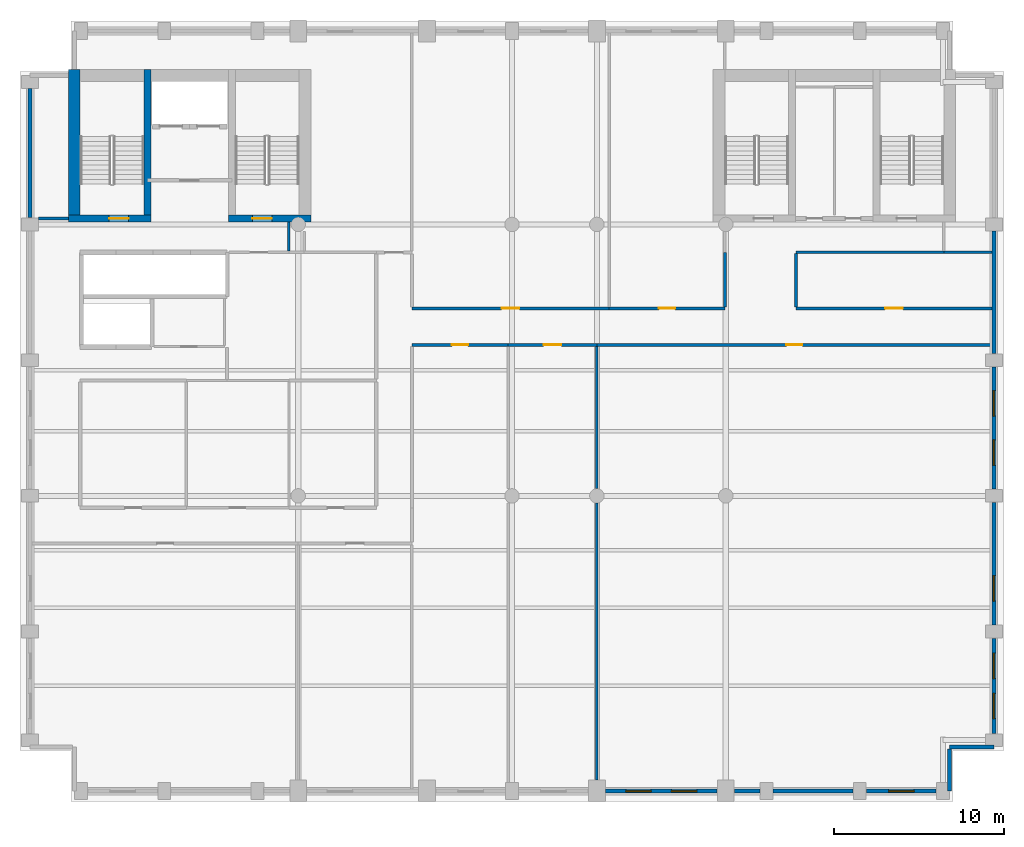
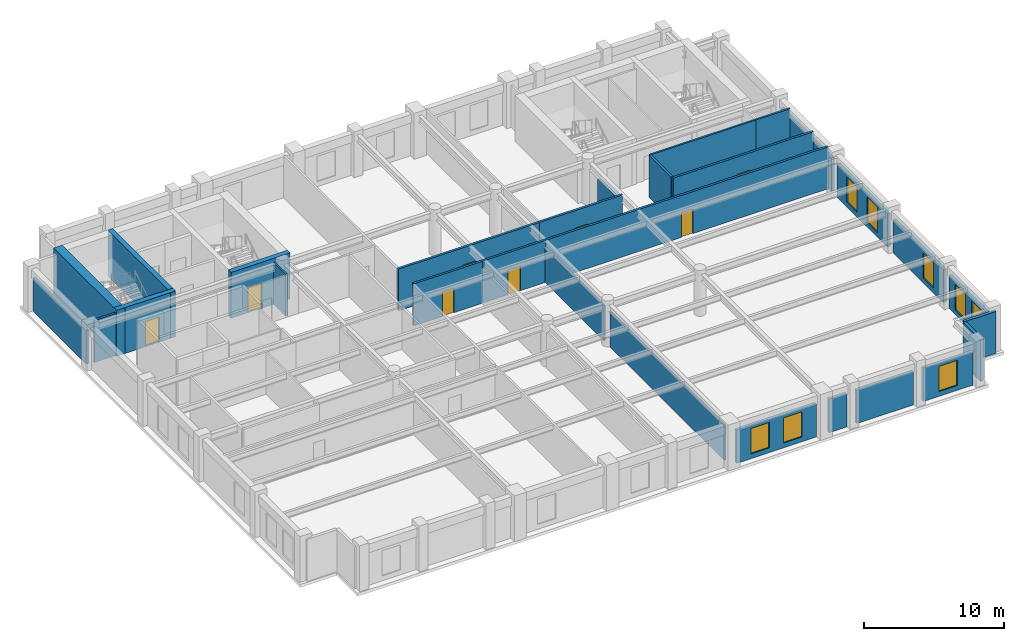
# One storey, part 4 of 8: 29 walls, 8 doors, 8 windows, 16 openings.
"""IFC4 building model written with IfcOpenShell, lengths in metres."""

from ifc_helpers import new_model, si_unit, direction, frame, frame_2d, origin, place, context, subcontext, project, spatial, rectangle, extrude, material, layer, layer_set, type_object, element, fill, save


model = new_model("IFC4")

# Units and contexts
model_context = context("Model", 3, precision=1e-05, world=origin(), true_north=direction((0.0, 1.0)))
body_context = subcontext(model_context, "Body", "Model", "MODEL_VIEW")
ifc_project = project(units=[si_unit("LENGTHUNIT", "METRE"), si_unit("AREAUNIT", "SQUARE_METRE"), si_unit("VOLUMEUNIT", "CUBIC_METRE"), si_unit("PLANEANGLEUNIT", "RADIAN"), si_unit("MASSUNIT", "GRAM", prefix="KILO")], contexts=[model_context])

# Site, building, storey
site_placement = place(None, origin())
site = spatial("IfcSite", under=ifc_project, at=site_placement, CompositionType="ELEMENT")
building_placement = place(site_placement, origin())
building = spatial("IfcBuilding", under=site, at=building_placement, Name="Sulina Concourse Tower", CompositionType="ELEMENT")
storey_placement = place(building_placement, frame((0.0, 0.0, 234.60009765625)))
storey = spatial("IfcBuildingStorey", under=building, at=storey_placement, Name="L57", CompositionType="ELEMENT", Elevation=234.60009765625)

# Wall, openings, windows
ifc_material_1 = material(Name="Precast concrete C50/60", Category="concrete")
ifc_layer_1 = layer(ifc_material_1, 0.239990234375)
ifc_layer_set_1 = layer_set([ifc_layer_1], Name="Precast concrete C50/60")
wall_type_1 = type_object("IfcWallType", Name="Crown Precast Masonry-Frame Facade Wall 240mm", PredefinedType="SOLIDWALL", material=ifc_layer_set_1)
wall_1_placement = place(storey_placement, frame((41.080078125, 0.60009765625, 0.0), z_axis=(0.0, 0.0, 1.0), x_axis=(-1.0, 0.0, 0.0)))
wall_1 = element("IfcWall", 1, at=wall_1_placement, inside=storey, type_object=wall_type_1, Name="L57 exterior precast wall S7", PredefinedType="SOLIDWALL", context=body_context, shape_type="SweptSolid", body=[
    extrude(rectangle(XDim=6.56005859375, YDim=0.239990234375, at=frame_2d((3.280029296875, 0.0))), origin(), (0.0, 0.0, 1.0), 2.909912109375),
])
opening_1_placement = place(wall_1_placement, frame((1.186767578125, 0.0, 0.419921875)))
opening_1 = element("IfcOpeningElement", 2, at=opening_1_placement, cuts=wall_1, Name="Opening WN-71", PredefinedType="OPENING", context=body_context, shape_type="SweptSolid", body=[
    extrude(rectangle(XDim=1.5, YDim=2.199951171875, at=frame_2d((0.75, 1.10009765625))), frame((0.0, 0.1298828125, 0.0), z_axis=(0.0, -1.0, 0.0), x_axis=(1.0, 0.0, 0.0)), (0.0, 0.0, 1.0), 0.260009765625),
])
opening_2_placement = place(wall_1_placement, frame((3.873291015625, 0.0, 0.419921875)))
opening_2 = element("IfcOpeningElement", 3, at=opening_2_placement, cuts=wall_1, Name="Opening WN-71", PredefinedType="OPENING", context=body_context, shape_type="SweptSolid", body=[
    extrude(rectangle(XDim=1.5, YDim=2.199951171875, at=frame_2d((0.75, 1.10009765625))), frame((0.0, 0.1298828125, 0.0), z_axis=(0.0, -1.0, 0.0), x_axis=(1.0, 0.0, 0.0)), (0.0, 0.0, 1.0), 0.260009765625),
])
ifc_material_2 = material(Name="Low-E solar double glazing in bronze aluminium", Category="aluminium")
window_type = type_object("IfcWindowType", Name="Punched Masonry-Frame Window 1500x2200", PartitioningType="SINGLE_PANEL", PredefinedType="WINDOW", material=ifc_material_2)
window_1_placement = place(opening_1_placement, origin())
window_1 = element("IfcWindow", 4, at=window_1_placement, inside=storey, type_object=window_type, Name="L57 punched window S7-1", OverallHeight=2.199951171875, OverallWidth=1.5, PartitioningType="SINGLE_PANEL", PredefinedType="WINDOW", context=body_context, shape_type="SweptSolid", body=[
    extrude(rectangle(XDim=1.5, YDim=2.199951171875, at=frame_2d((0.75, 1.10009765625))), frame((0.0, 0.030029296875, 0.0), z_axis=(0.0, -1.0, 0.0), x_axis=(1.0, 0.0, 0.0)), (0.0, 0.0, 1.0), 0.06005859375),
])
fill(opening_1, window_1)
window_2_placement = place(opening_2_placement, origin())
window_2 = element("IfcWindow", 5, at=window_2_placement, inside=storey, type_object=window_type, Name="L57 punched window S7-2", OverallHeight=2.199951171875, OverallWidth=1.5, PartitioningType="SINGLE_PANEL", PredefinedType="WINDOW", context=body_context, shape_type="SweptSolid", body=[
    extrude(rectangle(XDim=1.5, YDim=2.199951171875, at=frame_2d((0.75, 1.10009765625))), frame((0.0, 0.030029296875, 0.0), z_axis=(0.0, -1.0, 0.0), x_axis=(1.0, 0.0, 0.0)), (0.0, 0.0, 1.0), 0.06005859375),
])
fill(opening_2, window_2)

# Walls
wall_2_placement = place(storey_placement, frame((43.60498046875, 0.60009765625, 0.0), z_axis=(0.0, 0.0, 1.0), x_axis=(-1.0, 0.0, 0.0)))
element("IfcWall", 6, at=wall_2_placement, inside=storey, type_object=wall_type_1, Name="L57 exterior precast wall S8", PredefinedType="SOLIDWALL", context=body_context, shape_type="SweptSolid", body=[
    extrude(rectangle(XDim=1.48486328125, YDim=0.239990234375, at=frame_2d((0.742431640625, 0.0))), origin(), (0.0, 0.0, 1.0), 2.909912109375),
])
wall_3_placement = place(storey_placement, frame((49.10498046875, 0.60009765625, 0.0), z_axis=(0.0, 0.0, 1.0), x_axis=(-1.0, 0.0, 0.0)))
element("IfcWall", 7, at=wall_3_placement, inside=storey, type_object=wall_type_1, Name="L57 exterior precast wall S9", PredefinedType="SOLIDWALL", context=body_context, shape_type="SweptSolid", body=[
    extrude(rectangle(XDim=4.7099609375, YDim=0.239990234375, at=frame_2d((2.35498046875, 0.0))), origin(), (0.0, 0.0, 1.0), 2.909912109375),
])

# Wall, opening, window
wall_4_placement = place(storey_placement, frame((54.0048828125, 0.60009765625, 0.0), z_axis=(0.0, 0.0, 1.0), x_axis=(-1.0, 0.0, 0.0)))
wall_4 = element("IfcWall", 8, at=wall_4_placement, inside=storey, type_object=wall_type_1, Name="L57 exterior precast wall S10", PredefinedType="SOLIDWALL", context=body_context, shape_type="SweptSolid", body=[
    extrude(rectangle(XDim=4.10986328125, YDim=0.239990234375, at=frame_2d((2.054931640625, 0.0))), origin(), (0.0, 0.0, 1.0), 2.909912109375),
])
opening_3_placement = place(wall_4_placement, frame((1.304931640625, 0.0, 0.419921875)))
opening_3 = element("IfcOpeningElement", 9, at=opening_3_placement, cuts=wall_4, Name="Opening WN-71", PredefinedType="OPENING", context=body_context, shape_type="SweptSolid", body=[
    extrude(rectangle(XDim=1.5, YDim=2.199951171875, at=frame_2d((0.75, 1.10009765625))), frame((0.0, 0.1298828125, 0.0), z_axis=(0.0, -1.0, 0.0), x_axis=(1.0, 0.0, 0.0)), (0.0, 0.0, 1.0), 0.260009765625),
])
window_3_placement = place(opening_3_placement, origin())
window_3 = element("IfcWindow", 10, at=window_3_placement, inside=storey, type_object=window_type, Name="L57 punched window S10-1", OverallHeight=2.199951171875, OverallWidth=1.5, PartitioningType="SINGLE_PANEL", PredefinedType="WINDOW", context=body_context, shape_type="SweptSolid", body=[
    extrude(rectangle(XDim=1.5, YDim=2.199951171875, at=frame_2d((0.75, 1.10009765625))), frame((0.0, 0.030029296875, 0.0), z_axis=(0.0, -1.0, 0.0), x_axis=(1.0, 0.0, 0.0)), (0.0, 0.0, 1.0), 0.06005859375),
])
fill(opening_3, window_3)

# Wall
wall_5_placement = place(storey_placement, frame((0.60009765625, 34.39501953125, 0.0), z_axis=(0.0, 0.0, 1.0), x_axis=(0.0, 1.0, 0.0)))
element("IfcWall", 11, at=wall_5_placement, inside=storey, type_object=wall_type_1, Name="L57 exterior precast wall W5", PredefinedType="SOLIDWALL", context=body_context, shape_type="SweptSolid", body=[
    extrude(rectangle(XDim=7.60986328125, YDim=0.239990234375, at=frame_2d((3.804931640625, 0.0))), origin(), (0.0, 0.0, 1.0), 2.909912109375),
])

# Wall, openings, windows
wall_6_placement = place(storey_placement, frame((57.39990234375, 9.60498046875, 0.0), z_axis=(0.0, 0.0, 1.0), x_axis=(0.0, -1.0, 0.0)))
wall_6 = element("IfcWall", 12, at=wall_6_placement, inside=storey, type_object=wall_type_1, Name="L57 exterior precast wall E1", PredefinedType="SOLIDWALL", context=body_context, shape_type="SweptSolid", body=[
    extrude(rectangle(XDim=5.60986328125, YDim=0.239990234375, at=frame_2d((2.804931640625, 0.0))), origin(), (0.0, 0.0, 1.0), 2.909912109375),
])
opening_4_placement = place(wall_6_placement, frame((0.8701171875, 0.0, 0.419921875)))
opening_4 = element("IfcOpeningElement", 13, at=opening_4_placement, cuts=wall_6, Name="Opening WN-71", PredefinedType="OPENING", context=body_context, shape_type="SweptSolid", body=[
    extrude(rectangle(XDim=1.5, YDim=2.199951171875, at=frame_2d((0.75, 1.10009765625))), frame((0.0, 0.1298828125, 0.0), z_axis=(0.0, -1.0, 0.0), x_axis=(1.0, 0.0, 0.0)), (0.0, 0.0, 1.0), 0.260009765625),
])
opening_5_placement = place(wall_6_placement, frame((3.239990234375, 0.0, 0.419921875)))
opening_5 = element("IfcOpeningElement", 14, at=opening_5_placement, cuts=wall_6, Name="Opening WN-71", PredefinedType="OPENING", context=body_context, shape_type="SweptSolid", body=[
    extrude(rectangle(XDim=1.5, YDim=2.199951171875, at=frame_2d((0.75, 1.10009765625))), frame((0.0, 0.1298828125, 0.0), z_axis=(0.0, -1.0, 0.0), x_axis=(1.0, 0.0, 0.0)), (0.0, 0.0, 1.0), 0.260009765625),
])
window_4_placement = place(opening_4_placement, origin())
window_4 = element("IfcWindow", 15, at=window_4_placement, inside=storey, type_object=window_type, Name="L57 punched window E1-1", OverallHeight=2.199951171875, OverallWidth=1.5, PartitioningType="SINGLE_PANEL", PredefinedType="WINDOW", context=body_context, shape_type="SweptSolid", body=[
    extrude(rectangle(XDim=1.5, YDim=2.199951171875, at=frame_2d((0.75, 1.10009765625))), frame((0.0, 0.030029296875, 0.0), z_axis=(0.0, -1.0, 0.0), x_axis=(1.0, 0.0, 0.0)), (0.0, 0.0, 1.0), 0.06005859375),
])
fill(opening_4, window_4)
window_5_placement = place(opening_5_placement, origin())
window_5 = element("IfcWindow", 16, at=window_5_placement, inside=storey, type_object=window_type, Name="L57 punched window E1-2", OverallHeight=2.199951171875, OverallWidth=1.5, PartitioningType="SINGLE_PANEL", PredefinedType="WINDOW", context=body_context, shape_type="SweptSolid", body=[
    extrude(rectangle(XDim=1.5, YDim=2.199951171875, at=frame_2d((0.75, 1.10009765625))), frame((0.0, 0.030029296875, 0.0), z_axis=(0.0, -1.0, 0.0), x_axis=(1.0, 0.0, 0.0)), (0.0, 0.0, 1.0), 0.06005859375),
])
fill(opening_5, window_5)

# Wall, opening, window
wall_7_placement = place(storey_placement, frame((57.39990234375, 17.60498046875, 0.0), z_axis=(0.0, 0.0, 1.0), x_axis=(0.0, -1.0, 0.0)))
wall_7 = element("IfcWall", 17, at=wall_7_placement, inside=storey, type_object=wall_type_1, Name="L57 exterior precast wall E2", PredefinedType="SOLIDWALL", context=body_context, shape_type="SweptSolid", body=[
    extrude(rectangle(XDim=7.2099609375, YDim=0.239990234375, at=frame_2d((3.60498046875, 0.0))), origin(), (0.0, 0.0, 1.0), 2.909912109375),
])
opening_6_placement = place(wall_7_placement, frame((4.306640625, 0.0, 0.419921875)))
opening_6 = element("IfcOpeningElement", 18, at=opening_6_placement, cuts=wall_7, Name="Opening WN-71", PredefinedType="OPENING", context=body_context, shape_type="SweptSolid", body=[
    extrude(rectangle(XDim=1.5, YDim=2.199951171875, at=frame_2d((0.75, 1.10009765625))), frame((0.0, 0.1298828125, 0.0), z_axis=(0.0, -1.0, 0.0), x_axis=(1.0, 0.0, 0.0)), (0.0, 0.0, 1.0), 0.260009765625),
])
window_6_placement = place(opening_6_placement, origin())
window_6 = element("IfcWindow", 19, at=window_6_placement, inside=storey, type_object=window_type, Name="L57 punched window E2-1", OverallHeight=2.199951171875, OverallWidth=1.5, PartitioningType="SINGLE_PANEL", PredefinedType="WINDOW", context=body_context, shape_type="SweptSolid", body=[
    extrude(rectangle(XDim=1.5, YDim=2.199951171875, at=frame_2d((0.75, 1.10009765625))), frame((0.0, 0.030029296875, 0.0), z_axis=(0.0, -1.0, 0.0), x_axis=(1.0, 0.0, 0.0)), (0.0, 0.0, 1.0), 0.06005859375),
])
fill(opening_6, window_6)

# Wall, openings, windows
wall_8_placement = place(storey_placement, frame((57.39990234375, 25.60498046875, 0.0), z_axis=(0.0, 0.0, 1.0), x_axis=(0.0, -1.0, 0.0)))
wall_8 = element("IfcWall", 20, at=wall_8_placement, inside=storey, type_object=wall_type_1, Name="L57 exterior precast wall E3", PredefinedType="SOLIDWALL", context=body_context, shape_type="SweptSolid", body=[
    extrude(rectangle(XDim=7.2099609375, YDim=0.239990234375, at=frame_2d((3.60498046875, 0.0))), origin(), (0.0, 0.0, 1.0), 2.909912109375),
])
opening_7_placement = place(wall_8_placement, frame((1.4033203125, 0.0, 0.419921875)))
opening_7 = element("IfcOpeningElement", 21, at=opening_7_placement, cuts=wall_8, Name="Opening WN-71", PredefinedType="OPENING", context=body_context, shape_type="SweptSolid", body=[
    extrude(rectangle(XDim=1.5, YDim=2.199951171875, at=frame_2d((0.75, 1.10009765625))), frame((0.0, 0.1298828125, 0.0), z_axis=(0.0, -1.0, 0.0), x_axis=(1.0, 0.0, 0.0)), (0.0, 0.0, 1.0), 0.260009765625),
])
opening_8_placement = place(wall_8_placement, frame((4.306640625, 0.0, 0.419921875)))
opening_8 = element("IfcOpeningElement", 22, at=opening_8_placement, cuts=wall_8, Name="Opening WN-71", PredefinedType="OPENING", context=body_context, shape_type="SweptSolid", body=[
    extrude(rectangle(XDim=1.5, YDim=2.199951171875, at=frame_2d((0.75, 1.10009765625))), frame((0.0, 0.1298828125, 0.0), z_axis=(0.0, -1.0, 0.0), x_axis=(1.0, 0.0, 0.0)), (0.0, 0.0, 1.0), 0.260009765625),
])
window_7_placement = place(opening_7_placement, origin())
window_7 = element("IfcWindow", 23, at=window_7_placement, inside=storey, type_object=window_type, Name="L57 punched window E3-1", OverallHeight=2.199951171875, OverallWidth=1.5, PartitioningType="SINGLE_PANEL", PredefinedType="WINDOW", context=body_context, shape_type="SweptSolid", body=[
    extrude(rectangle(XDim=1.5, YDim=2.199951171875, at=frame_2d((0.75, 1.10009765625))), frame((0.0, 0.030029296875, 0.0), z_axis=(0.0, -1.0, 0.0), x_axis=(1.0, 0.0, 0.0)), (0.0, 0.0, 1.0), 0.06005859375),
])
fill(opening_7, window_7)
window_8_placement = place(opening_8_placement, origin())
window_8 = element("IfcWindow", 24, at=window_8_placement, inside=storey, type_object=window_type, Name="L57 punched window E3-2", OverallHeight=2.199951171875, OverallWidth=1.5, PartitioningType="SINGLE_PANEL", PredefinedType="WINDOW", context=body_context, shape_type="SweptSolid", body=[
    extrude(rectangle(XDim=1.5, YDim=2.199951171875, at=frame_2d((0.75, 1.10009765625))), frame((0.0, 0.030029296875, 0.0), z_axis=(0.0, -1.0, 0.0), x_axis=(1.0, 0.0, 0.0)), (0.0, 0.0, 1.0), 0.06005859375),
])
fill(opening_8, window_8)

# Walls
wall_9_placement = place(storey_placement, frame((57.39990234375, 33.60498046875, 0.0), z_axis=(0.0, 0.0, 1.0), x_axis=(0.0, -1.0, 0.0)))
element("IfcWall", 25, at=wall_9_placement, inside=storey, type_object=wall_type_1, Name="L57 exterior precast wall E4", PredefinedType="SOLIDWALL", context=body_context, shape_type="SweptSolid", body=[
    extrude(rectangle(XDim=7.2099609375, YDim=0.239990234375, at=frame_2d((3.60498046875, 0.0))), origin(), (0.0, 0.0, 1.0), 2.909912109375),
])
wall_10_placement = place(storey_placement, frame((57.39990234375, 3.205078125, 0.0), z_axis=(0.0, 0.0, 1.0), x_axis=(-1.0, 0.0, 0.0)))
element("IfcWall", 26, at=wall_10_placement, inside=storey, type_object=wall_type_1, Name="L57 exterior precast wall CSE1", PredefinedType="SOLIDWALL", context=body_context, shape_type="SweptSolid", body=[
    extrude(rectangle(XDim=2.60498046875, YDim=0.239990234375, at=frame_2d((1.302490234375, 0.0))), origin(), (0.0, 0.0, 1.0), 3.659912109375),
])
wall_11_placement = place(storey_placement, frame((54.794921875, 3.080078125, 0.0), z_axis=(0.0, 0.0, 1.0), x_axis=(0.0, -1.0, 0.0)))
element("IfcWall", 27, at=wall_11_placement, inside=storey, type_object=wall_type_1, Name="L57 exterior precast wall CSE2", PredefinedType="SOLIDWALL", context=body_context, shape_type="SweptSolid", body=[
    extrude(rectangle(XDim=2.47998046875, YDim=0.239990234375, at=frame_2d((1.239990234375, 0.0))), origin(), (0.0, 0.0, 1.0), 3.659912109375),
])
ifc_material_3 = material(Name="Gypsum board on steel stud", Category="steel")
ifc_layer_2 = layer(ifc_material_3, 0.14990234375)
ifc_layer_set_2 = layer_set([ifc_layer_2], Name="Gypsum board on steel stud")
wall_type_2 = type_object("IfcWallType", Name="Inter-Tenancy Acoustic Partition 150mm", PredefinedType="PARTITIONING", material=ifc_layer_set_2)
wall_12_placement = place(storey_placement, frame((45.75, 32.35009765625, 0.0), z_axis=(0.0, 0.0, 1.0), x_axis=(1.0, 0.0, 0.0)))
element("IfcWall", 28, at=wall_12_placement, inside=storey, type_object=wall_type_2, Name="L57 interior partition 021", PredefinedType="PARTITIONING", context=body_context, shape_type="SweptSolid", body=[
    extrude(rectangle(XDim=8.699951171875, YDim=0.14990234375, at=frame_2d((4.35009765625, 0.0))), origin(), (0.0, 0.0, 1.0), 3.659912109375),
])
wall_13_placement = place(storey_placement, frame((54.449951171875, 32.35009765625, 0.0), z_axis=(0.0, 0.0, 1.0), x_axis=(1.0, 0.0, 0.0)))
element("IfcWall", 29, at=wall_13_placement, inside=storey, type_object=wall_type_2, Name="L57 interior partition 022", PredefinedType="PARTITIONING", context=body_context, shape_type="SweptSolid", body=[
    extrude(rectangle(XDim=2.830078125, YDim=0.14990234375, at=frame_2d((1.4150390625, 0.0))), origin(), (0.0, 0.0, 1.0), 3.659912109375),
])
wall_14_placement = place(storey_placement, frame((15.85009765625, 32.425048828125, 0.0), z_axis=(0.0, 0.0, 1.0), x_axis=(0.0, 1.0, 0.0)))
element("IfcWall", 30, at=wall_14_placement, inside=storey, type_object=wall_type_2, Name="L57 interior partition 031", PredefinedType="PARTITIONING", context=body_context, shape_type="SweptSolid", body=[
    extrude(rectangle(XDim=1.724853515625, YDim=0.14990234375, at=frame_2d((0.8623046875, 0.0))), origin(), (0.0, 0.0, 1.0), 3.659912109375),
])
wall_15_placement = place(storey_placement, frame((34.0, 1.25, 0.0), z_axis=(0.0, 0.0, 1.0), x_axis=(0.0, 1.0, 0.0)))
element("IfcWall", 31, at=wall_15_placement, inside=storey, type_object=wall_type_2, Name="L57 interior partition 043", PredefinedType="PARTITIONING", context=body_context, shape_type="SweptSolid", body=[
    extrude(rectangle(XDim=16.324951171875, YDim=0.14990234375, at=frame_2d((8.16259765625, 0.0))), origin(), (0.0, 0.0, 1.0), 3.054931640625),
])
wall_16_placement = place(storey_placement, frame((34.0, 18.425048828125, 0.0), z_axis=(0.0, 0.0, 1.0), x_axis=(0.0, 1.0, 0.0)))
element("IfcWall", 32, at=wall_16_placement, inside=storey, type_object=wall_type_2, Name="L57 interior partition 044", PredefinedType="PARTITIONING", context=body_context, shape_type="SweptSolid", body=[
    extrude(rectangle(XDim=8.385009765625, YDim=0.14990234375, at=frame_2d((4.1923828125, 0.0))), origin(), (0.0, 0.0, 1.0), 3.054931640625),
])

# Wall, opening, door
ifc_material_4 = material(Name="Gypsum board on steel stud", Category="steel")
ifc_layer_3 = layer(ifc_material_4, 0.179931640625)
ifc_layer_set_3 = layer_set([ifc_layer_3], Name="Gypsum board on steel stud")
wall_type_3 = type_object("IfcWallType", Name="Protected Corridor & Riser Partition 180mm", PredefinedType="PARTITIONING", material=ifc_layer_set_3)
wall_17_placement = place(storey_placement, frame((23.10009765625, 26.89990234375, 0.0), z_axis=(0.0, 0.0, 1.0), x_axis=(1.0, 0.0, 0.0)))
wall_17 = element("IfcWall", 33, at=wall_17_placement, inside=storey, type_object=wall_type_3, Name="L57 interior partition 011", PredefinedType="PARTITIONING", context=body_context, shape_type="SweptSolid", body=[
    extrude(rectangle(XDim=5.669921875, YDim=0.179931640625, at=frame_2d((2.8349609375, 0.0))), origin(), (0.0, 0.0, 1.0), 3.659912109375),
])
opening_9_placement = place(wall_17_placement, frame((2.360107421875, 0.0, 0.0)))
opening_9 = element("IfcOpeningElement", 34, at=opening_9_placement, cuts=wall_17, Name="Opening DR-19", PredefinedType="OPENING", context=body_context, shape_type="SweptSolid", body=[
    extrude(rectangle(XDim=0.949951171875, YDim=2.14990234375, at=frame_2d((0.47509765625, 1.074951171875))), frame((0.0, 0.099853515625, 0.0), z_axis=(0.0, -1.0, 0.0), x_axis=(1.0, 0.0, 0.0)), (0.0, 0.0, 1.0), 0.199951171875),
])
ifc_material_5 = material(Name="Oak-veneered acoustic timber leaf", Category="wood")
ifc_layer_4 = layer(ifc_material_5, 0.050048828125)
ifc_layer_set_4 = layer_set([ifc_layer_4], Name="Oak-veneered acoustic timber leaf")
door_type_1 = type_object("IfcDoorType", Name="Cellular Office & Meeting Door 950x2150", OperationType="NOTDEFINED", PredefinedType="DOOR", material=ifc_layer_set_4)
door_1_placement = place(opening_9_placement, origin())
door_1 = element("IfcDoor", 35, at=door_1_placement, inside=storey, type_object=door_type_1, Name="L57 interior door L57-S03A", OperationType="SINGLE_SWING_LEFT", OverallHeight=2.14990234375, OverallWidth=0.949951171875, PredefinedType="DOOR", context=body_context, shape_type="SweptSolid", body=[
    extrude(rectangle(XDim=0.949951171875, YDim=2.14990234375, at=frame_2d((0.47509765625, 1.074951171875))), frame((0.0, 0.02490234375, 0.0), z_axis=(0.0, -1.0, 0.0), x_axis=(1.0, 0.0, 0.0)), (0.0, 0.0, 1.0), 0.050048828125),
])
fill(opening_9, door_1)

wall_18_placement = place(storey_placement, frame((28.77001953125, 26.89990234375, 0.0), z_axis=(0.0, 0.0, 1.0), x_axis=(1.0, 0.0, 0.0)))
wall_18 = element("IfcWall", 36, at=wall_18_placement, inside=storey, type_object=wall_type_3, Name="L57 interior partition 012", PredefinedType="PARTITIONING", context=body_context, shape_type="SweptSolid", body=[
    extrude(rectangle(XDim=5.22998046875, YDim=0.179931640625, at=frame_2d((2.614990234375, 0.0))), origin(), (0.0, 0.0, 1.0), 3.659912109375),
])
opening_10_placement = place(wall_18_placement, frame((2.090087890625, 0.0, 0.0)))
opening_10 = element("IfcOpeningElement", 37, at=opening_10_placement, cuts=wall_18, Name="Opening DR-37", PredefinedType="OPENING", context=body_context, shape_type="SweptSolid", body=[
    extrude(rectangle(XDim=1.050048828125, YDim=2.14990234375, at=frame_2d((0.52490234375, 1.074951171875))), frame((0.0, 0.099853515625, 0.0), z_axis=(0.0, -1.0, 0.0), x_axis=(1.0, 0.0, 0.0)), (0.0, 0.0, 1.0), 0.199951171875),
])
ifc_material_6 = material(Name="Oak-veneered fire door leaf")
ifc_layer_5 = layer(ifc_material_6, 0.050048828125)
ifc_layer_set_5 = layer_set([ifc_layer_5], Name="Oak-veneered fire door leaf")
door_type_2 = type_object("IfcDoorType", Name="Tenant Suite Entrance Fire Door 1050x2150", OperationType="NOTDEFINED", PredefinedType="DOOR", material=ifc_layer_set_5)
door_2_placement = place(opening_10_placement, origin())
door_2 = element("IfcDoor", 38, at=door_2_placement, inside=storey, type_object=door_type_2, Name="L57 interior door L57-S03B", OperationType="SINGLE_SWING_RIGHT", OverallHeight=2.14990234375, OverallWidth=1.050048828125, PredefinedType="DOOR", context=body_context, shape_type="SweptSolid", body=[
    extrude(rectangle(XDim=1.050048828125, YDim=2.14990234375, at=frame_2d((0.52490234375, 1.074951171875))), frame((0.0, 0.02490234375, 0.0), z_axis=(0.0, -1.0, 0.0), x_axis=(1.0, 0.0, 0.0)), (0.0, 0.0, 1.0), 0.050048828125),
])
fill(opening_10, door_2)

wall_19_placement = place(storey_placement, frame((34.0, 26.89990234375, 0.0), z_axis=(0.0, 0.0, 1.0), x_axis=(1.0, 0.0, 0.0)))
wall_19 = element("IfcWall", 39, at=wall_19_placement, inside=storey, type_object=wall_type_3, Name="L57 interior partition 013", PredefinedType="PARTITIONING", context=body_context, shape_type="SweptSolid", body=[
    extrude(rectangle(XDim=23.280029296875, YDim=0.179931640625, at=frame_2d((11.64013671875, 0.0))), origin(), (0.0, 0.0, 1.0), 3.659912109375),
])
opening_11_placement = place(wall_19_placement, frame((11.1650390625, 0.0, 0.0)))
opening_11 = element("IfcOpeningElement", 40, at=opening_11_placement, cuts=wall_19, Name="Opening DR-19", PredefinedType="OPENING", context=body_context, shape_type="SweptSolid", body=[
    extrude(rectangle(XDim=0.949951171875, YDim=2.14990234375, at=frame_2d((0.47509765625, 1.074951171875))), frame((0.0, 0.099853515625, 0.0), z_axis=(0.0, -1.0, 0.0), x_axis=(1.0, 0.0, 0.0)), (0.0, 0.0, 1.0), 0.199951171875),
])
door_3_placement = place(opening_11_placement, origin())
door_3 = element("IfcDoor", 41, at=door_3_placement, inside=storey, type_object=door_type_1, Name="L57 interior door L57-S04", OperationType="SINGLE_SWING_LEFT", OverallHeight=2.14990234375, OverallWidth=0.949951171875, PredefinedType="DOOR", context=body_context, shape_type="SweptSolid", body=[
    extrude(rectangle(XDim=0.949951171875, YDim=2.14990234375, at=frame_2d((0.47509765625, 1.074951171875))), frame((0.0, 0.02490234375, 0.0), z_axis=(0.0, -1.0, 0.0), x_axis=(1.0, 0.0, 0.0)), (0.0, 0.0, 1.0), 0.050048828125),
])
fill(opening_11, door_3)

wall_20_placement = place(storey_placement, frame((23.10009765625, 29.050048828125, 0.0), z_axis=(0.0, 0.0, 1.0), x_axis=(1.0, 0.0, 0.0)))
wall_20 = element("IfcWall", 42, at=wall_20_placement, inside=storey, type_object=wall_type_3, Name="L57 interior partition 014", PredefinedType="PARTITIONING", context=body_context, shape_type="SweptSolid", body=[
    extrude(rectangle(XDim=11.619873046875, YDim=0.179931640625, at=frame_2d((5.81005859375, 0.0))), origin(), (0.0, 0.0, 1.0), 3.659912109375),
])
opening_12_placement = place(wall_20_placement, frame((5.284912109375, 0.0, 0.0)))
opening_12 = element("IfcOpeningElement", 43, at=opening_12_placement, cuts=wall_20, Name="Opening DR-37", PredefinedType="OPENING", context=body_context, shape_type="SweptSolid", body=[
    extrude(rectangle(XDim=1.050048828125, YDim=2.14990234375, at=frame_2d((0.52490234375, 1.074951171875))), frame((0.0, 0.099853515625, 0.0), z_axis=(0.0, -1.0, 0.0), x_axis=(1.0, 0.0, 0.0)), (0.0, 0.0, 1.0), 0.199951171875),
])
door_4_placement = place(opening_12_placement, origin())
door_4 = element("IfcDoor", 44, at=door_4_placement, inside=storey, type_object=door_type_2, Name="L57 interior door L57-NC1", OperationType="SINGLE_SWING_RIGHT", OverallHeight=2.14990234375, OverallWidth=1.050048828125, PredefinedType="DOOR", context=body_context, shape_type="SweptSolid", body=[
    extrude(rectangle(XDim=1.050048828125, YDim=2.14990234375, at=frame_2d((0.52490234375, 1.074951171875))), frame((0.0, 0.02490234375, 0.0), z_axis=(0.0, -1.0, 0.0), x_axis=(1.0, 0.0, 0.0)), (0.0, 0.0, 1.0), 0.050048828125),
])
fill(opening_12, door_4)

wall_21_placement = place(storey_placement, frame((34.719970703125, 29.050048828125, 0.0), z_axis=(0.0, 0.0, 1.0), x_axis=(1.0, 0.0, 0.0)))
wall_21 = element("IfcWall", 45, at=wall_21_placement, inside=storey, type_object=wall_type_3, Name="L57 interior partition 015", PredefinedType="PARTITIONING", context=body_context, shape_type="SweptSolid", body=[
    extrude(rectangle(XDim=6.830078125, YDim=0.179931640625, at=frame_2d((3.4150390625, 0.0))), origin(), (0.0, 0.0, 1.0), 3.659912109375),
])
opening_13_placement = place(wall_21_placement, frame((2.93994140625, 0.0, 0.0)))
opening_13 = element("IfcOpeningElement", 46, at=opening_13_placement, cuts=wall_21, Name="Opening DR-19", PredefinedType="OPENING", context=body_context, shape_type="SweptSolid", body=[
    extrude(rectangle(XDim=0.949951171875, YDim=2.14990234375, at=frame_2d((0.47509765625, 1.074951171875))), frame((0.0, 0.099853515625, 0.0), z_axis=(0.0, -1.0, 0.0), x_axis=(1.0, 0.0, 0.0)), (0.0, 0.0, 1.0), 0.199951171875),
])
door_5_placement = place(opening_13_placement, origin())
door_5 = element("IfcDoor", 47, at=door_5_placement, inside=storey, type_object=door_type_1, Name="L57 interior door L57-NC2", OperationType="SINGLE_SWING_LEFT", OverallHeight=2.14990234375, OverallWidth=0.949951171875, PredefinedType="DOOR", context=body_context, shape_type="SweptSolid", body=[
    extrude(rectangle(XDim=0.949951171875, YDim=2.14990234375, at=frame_2d((0.47509765625, 1.074951171875))), frame((0.0, 0.02490234375, 0.0), z_axis=(0.0, -1.0, 0.0), x_axis=(1.0, 0.0, 0.0)), (0.0, 0.0, 1.0), 0.050048828125),
])
fill(opening_13, door_5)

wall_22_placement = place(storey_placement, frame((45.75, 29.050048828125, 0.0), z_axis=(0.0, 0.0, 1.0), x_axis=(1.0, 0.0, 0.0)))
wall_22 = element("IfcWall", 48, at=wall_22_placement, inside=storey, type_object=wall_type_3, Name="L57 interior partition 016", PredefinedType="PARTITIONING", context=body_context, shape_type="SweptSolid", body=[
    extrude(rectangle(XDim=11.530029296875, YDim=0.179931640625, at=frame_2d((5.76513671875, 0.0))), origin(), (0.0, 0.0, 1.0), 3.659912109375),
])
opening_14_placement = place(wall_22_placement, frame((5.239990234375, 0.0, 0.0)))
opening_14 = element("IfcOpeningElement", 49, at=opening_14_placement, cuts=wall_22, Name="Opening DR-37", PredefinedType="OPENING", context=body_context, shape_type="SweptSolid", body=[
    extrude(rectangle(XDim=1.050048828125, YDim=2.14990234375, at=frame_2d((0.52490234375, 1.074951171875))), frame((0.0, 0.099853515625, 0.0), z_axis=(0.0, -1.0, 0.0), x_axis=(1.0, 0.0, 0.0)), (0.0, 0.0, 1.0), 0.199951171875),
])
door_6_placement = place(opening_14_placement, origin())
door_6 = element("IfcDoor", 50, at=door_6_placement, inside=storey, type_object=door_type_2, Name="L57 interior door L57-NE1", OperationType="SINGLE_SWING_RIGHT", OverallHeight=2.14990234375, OverallWidth=1.050048828125, PredefinedType="DOOR", context=body_context, shape_type="SweptSolid", body=[
    extrude(rectangle(XDim=1.050048828125, YDim=2.14990234375, at=frame_2d((0.52490234375, 1.074951171875))), frame((0.0, 0.02490234375, 0.0), z_axis=(0.0, -1.0, 0.0), x_axis=(1.0, 0.0, 0.0)), (0.0, 0.0, 1.0), 0.050048828125),
])
fill(opening_14, door_6)

# Walls
wall_23_placement = place(storey_placement, frame((1.10009765625, 34.35009765625, 0.0), z_axis=(0.0, 0.0, 1.0), x_axis=(1.0, 0.0, 0.0)))
element("IfcWall", 51, at=wall_23_placement, inside=storey, type_object=wall_type_3, Name="L57 interior partition 023", PredefinedType="PARTITIONING", context=body_context, shape_type="SweptSolid", body=[
    extrude(rectangle(XDim=1.75, YDim=0.179931640625, at=frame_2d((0.875, 0.0))), origin(), (0.0, 0.0, 1.0), 3.659912109375),
])
wall_24_placement = place(storey_placement, frame((41.550048828125, 29.139892578125, 0.0), z_axis=(0.0, 0.0, 1.0), x_axis=(0.0, 1.0, 0.0)))
element("IfcWall", 52, at=wall_24_placement, inside=storey, type_object=wall_type_3, Name="L57 interior partition 046", PredefinedType="PARTITIONING", context=body_context, shape_type="SweptSolid", body=[
    extrude(rectangle(XDim=3.210205078125, YDim=0.179931640625, at=frame_2d((1.60498046875, 0.0))), origin(), (0.0, 0.0, 1.0), 3.054931640625),
])
wall_25_placement = place(storey_placement, frame((45.75, 29.139892578125, 0.0), z_axis=(0.0, 0.0, 1.0), x_axis=(0.0, 1.0, 0.0)))
element("IfcWall", 53, at=wall_25_placement, inside=storey, type_object=wall_type_3, Name="L57 interior partition 049", PredefinedType="PARTITIONING", context=body_context, shape_type="SweptSolid", body=[
    extrude(rectangle(XDim=3.135009765625, YDim=0.179931640625, at=frame_2d((1.5673828125, 0.0))), origin(), (0.0, 0.0, 1.0), 3.659912109375),
])

# Wall, opening, door
ifc_material_7 = material(Name="Concrete C60/75", Category="concrete")
ifc_layer_6 = layer(ifc_material_7, 0.39990234375)
ifc_layer_set_6 = layer_set([ifc_layer_6], Name="Concrete C60/75")
wall_type_4 = type_object("IfcWallType", Name="Protected Stair Core Shear Wall 400mm", PredefinedType="SHEAR", material=ifc_layer_set_6)
wall_26_placement = place(storey_placement, frame((2.85009765625, 34.35009765625, 0.0), z_axis=(0.0, 0.0, 1.0), x_axis=(1.0, 0.0, 0.0)))
wall_26 = element("IfcWall", 54, at=wall_26_placement, inside=storey, type_object=wall_type_4, Name="L57 west core shear wall CW-WS1", PredefinedType="SHEAR", context=body_context, shape_type="SweptSolid", body=[
    extrude(rectangle(XDim=4.85986328125, YDim=0.39990234375, at=frame_2d((2.429931640625, 0.0))), origin(), (0.0, 0.0, 1.0), 4.0),
])
opening_15_placement = place(wall_26_placement, frame((2.39990234375, 0.0, 0.0)))
opening_15 = element("IfcOpeningElement", 55, at=opening_15_placement, cuts=wall_26, Name="Opening DR-60", PredefinedType="OPENING", context=body_context, shape_type="SweptSolid", body=[
    extrude(rectangle(XDim=1.14990234375, YDim=2.199951171875, at=frame_2d((0.574951171875, 1.10009765625))), frame((0.0, 0.2099609375, 0.0), z_axis=(0.0, -1.0, 0.0), x_axis=(1.0, 0.0, 0.0)), (0.0, 0.0, 1.0), 0.419921875),
])
ifc_material_8 = material(Name="Galvanised steel acoustic fire leaf", Category="steel")
ifc_layer_7 = layer(ifc_material_8, 0.054931640625)
ifc_layer_set_7 = layer_set([ifc_layer_7], Name="Galvanised steel acoustic fire leaf")
door_type_3 = type_object("IfcDoorType", Name="Protected Exit Stair Fire Door 1150x2200", OperationType="NOTDEFINED", PredefinedType="DOOR", material=ifc_layer_set_7)
door_7_placement = place(opening_15_placement, origin())
door_7 = element("IfcDoor", 56, at=door_7_placement, inside=storey, type_object=door_type_3, Name="L57 stair ST-1 lobby fire door", OperationType="SINGLE_SWING_RIGHT", OverallHeight=2.199951171875, OverallWidth=1.14990234375, PredefinedType="DOOR", context=body_context, shape_type="SweptSolid", body=[
    extrude(rectangle(XDim=1.14990234375, YDim=2.199951171875, at=frame_2d((0.574951171875, 1.10009765625))), frame((0.0, 0.02490234375, 0.0), z_axis=(0.0, -1.0, 0.0), x_axis=(1.0, 0.0, 0.0)), (0.0, 0.0, 1.0), 0.050048828125),
])
fill(opening_15, door_7)

wall_27_placement = place(storey_placement, frame((12.2900390625, 34.35009765625, 0.0), z_axis=(0.0, 0.0, 1.0), x_axis=(1.0, 0.0, 0.0)))
wall_27 = element("IfcWall", 57, at=wall_27_placement, inside=storey, type_object=wall_type_4, Name="L57 west core shear wall CW-WS2", PredefinedType="SHEAR", context=body_context, shape_type="SweptSolid", body=[
    extrude(rectangle(XDim=4.85986328125, YDim=0.39990234375, at=frame_2d((2.429931640625, 0.0))), origin(), (0.0, 0.0, 1.0), 4.0),
])
opening_16_placement = place(wall_27_placement, frame((1.39990234375, 0.0, 0.0)))
opening_16 = element("IfcOpeningElement", 58, at=opening_16_placement, cuts=wall_27, Name="Opening DR-60", PredefinedType="OPENING", context=body_context, shape_type="SweptSolid", body=[
    extrude(rectangle(XDim=1.14990234375, YDim=2.199951171875, at=frame_2d((0.574951171875, 1.10009765625))), frame((0.0, 0.2099609375, 0.0), z_axis=(0.0, -1.0, 0.0), x_axis=(1.0, 0.0, 0.0)), (0.0, 0.0, 1.0), 0.419921875),
])
door_8_placement = place(opening_16_placement, origin())
door_8 = element("IfcDoor", 59, at=door_8_placement, inside=storey, type_object=door_type_3, Name="L57 stair ST-2 lobby fire door", OperationType="SINGLE_SWING_LEFT", OverallHeight=2.199951171875, OverallWidth=1.14990234375, PredefinedType="DOOR", context=body_context, shape_type="SweptSolid", body=[
    extrude(rectangle(XDim=1.14990234375, YDim=2.199951171875, at=frame_2d((0.574951171875, 1.10009765625))), frame((0.0, 0.02490234375, 0.0), z_axis=(0.0, -1.0, 0.0), x_axis=(1.0, 0.0, 0.0)), (0.0, 0.0, 1.0), 0.050048828125),
])
fill(opening_16, door_8)

# Walls
wall_28_placement = place(storey_placement, frame((7.510009765625, 34.14990234375, 0.0), z_axis=(0.0, 0.0, 1.0), x_axis=(0.0, 1.0, 0.0)))
element("IfcWall", 60, at=wall_28_placement, inside=storey, type_object=wall_type_4, Name="L57 west core shear wall SW-ST1", PredefinedType="SHEAR", context=body_context, shape_type="SweptSolid", body=[
    extrude(rectangle(XDim=8.97998046875, YDim=0.39990234375, at=frame_2d((4.489990234375, 0.0))), origin(), (0.0, 0.0, 1.0), 4.0),
])
ifc_material_9 = material(Name="Concrete C60/75", Category="concrete")
ifc_layer_8 = layer(ifc_material_9, 0.699951171875)
ifc_layer_set_8 = layer_set([ifc_layer_8], Name="Concrete C60/75")
wall_type_5 = type_object("IfcWallType", Name="Rear Core Shear Wall 700mm", PredefinedType="SHEAR", material=ifc_layer_set_8)
wall_29_placement = place(storey_placement, frame((3.199951171875, 34.14990234375, 0.0), z_axis=(0.0, 0.0, 1.0), x_axis=(0.0, 1.0, 0.0)))
element("IfcWall", 61, at=wall_29_placement, inside=storey, type_object=wall_type_5, Name="L57 west core shear wall CW-WW", PredefinedType="SHEAR", context=body_context, shape_type="SweptSolid", body=[
    extrude(rectangle(XDim=8.97998046875, YDim=0.699951171875, at=frame_2d((4.489990234375, 0.0))), origin(), (0.0, 0.0, 1.0), 4.0),
])

save(model, "model.ifc")
